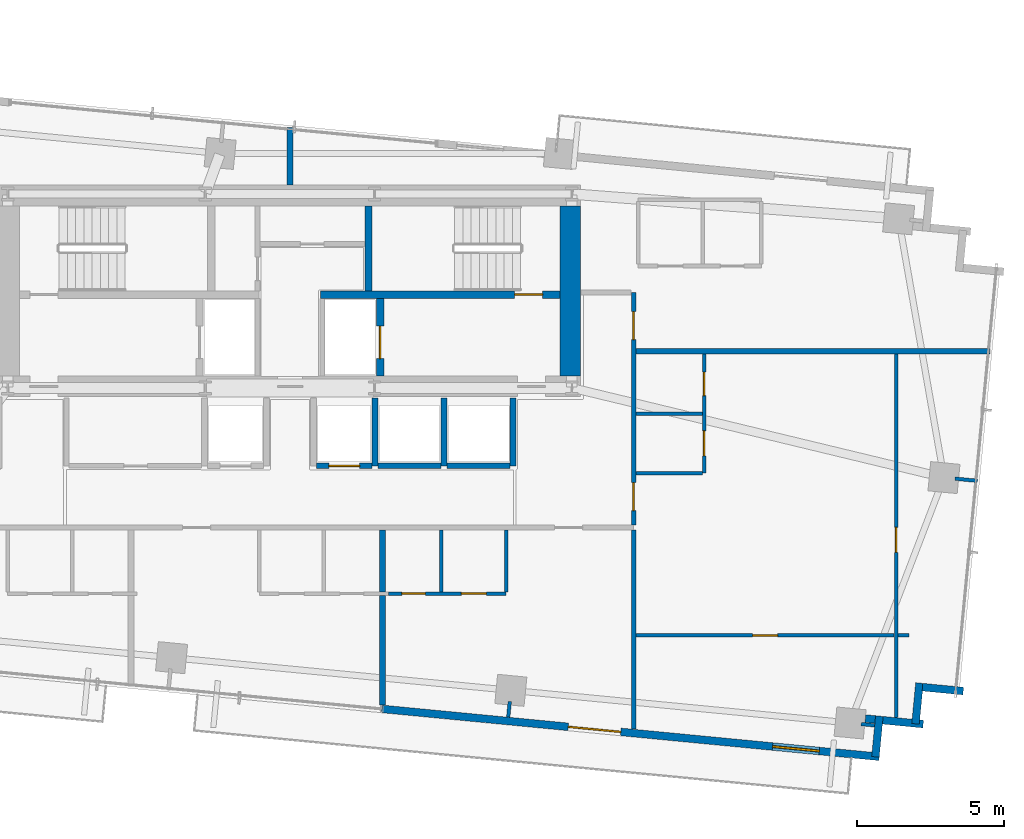
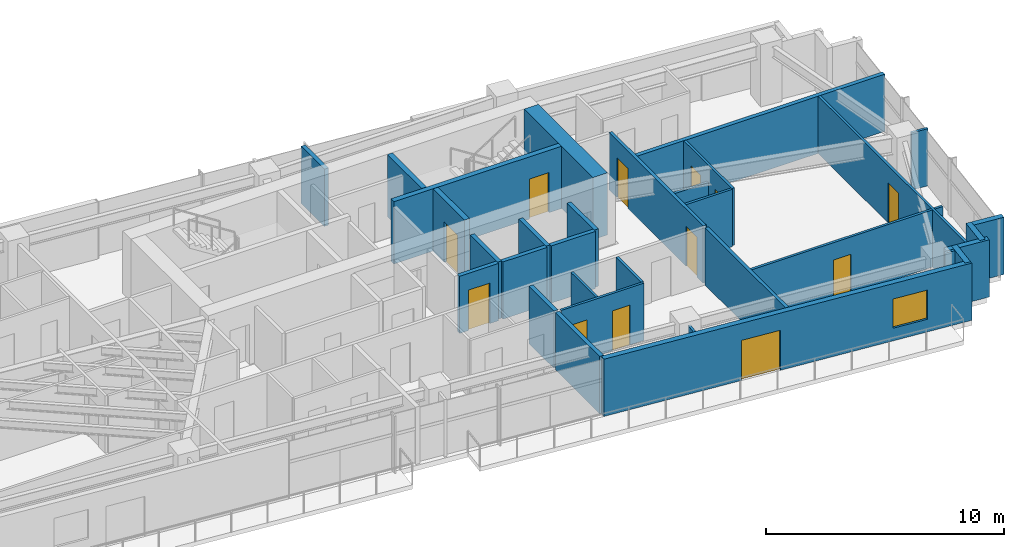
# One storey, part 17 of 20: 33 walls, 12 doors, 1 window, 13 openings.
"""IFC4 building model written with IfcOpenShell, lengths in metres."""

from ifc_helpers import new_model, si_unit, direction, frame, frame_2d, origin, place, context, subcontext, project, spatial, rectangle, extrude, source, transform, mapped, material, layer, layer_set, type_object, type_shapes, element, fill, save


model = new_model("IFC4")

# Units and contexts
model_context = context("Model", 3, precision=1e-05, world=origin(), true_north=direction((0.0, 1.0)))
body_context = subcontext(model_context, "Body", "Model", "MODEL_VIEW")
ifc_project = project(units=[si_unit("LENGTHUNIT", "METRE"), si_unit("AREAUNIT", "SQUARE_METRE"), si_unit("VOLUMEUNIT", "CUBIC_METRE"), si_unit("PLANEANGLEUNIT", "RADIAN"), si_unit("MASSUNIT", "GRAM", prefix="KILO")], contexts=[model_context])

# Site, building, storey
site_placement = place(None, origin())
site = spatial("IfcSite", under=ifc_project, at=site_placement, CompositionType="ELEMENT")
building_placement = place(site_placement, origin())
building = spatial("IfcBuilding", under=site, at=building_placement, Name="Astriad Promenade Condominiums", CompositionType="ELEMENT")
storey_placement = place(building_placement, frame((0.0, 0.0, 156.60009765625)))
storey = spatial("IfcBuildingStorey", under=building, at=storey_placement, Name="L45", CompositionType="ELEMENT", Elevation=156.60009765625)

# Wall
ifc_material_1 = material(Name="Concrete C60/75", Category="concrete")
ifc_layer_1 = layer(ifc_material_1, 0.699951171875)
ifc_layer_set_1 = layer_set([ifc_layer_1], Name="Concrete C60/75")
wall_type_1 = type_object("IfcWallType", Name="CW-SHEAR-700", PredefinedType="SHEAR", material=ifc_layer_set_1)
wall_1_placement = place(storey_placement, frame((45.550048828125, 17.802001953125, 0.0), z_axis=(0.0, 0.0, 1.0), x_axis=(0.0, 1.0, 0.0)))
element("IfcWall", 1, at=wall_1_placement, inside=storey, type_object=wall_type_1, Name="CW-CORE-E-L45", PredefinedType="SHEAR", context=body_context, shape_type="SweptSolid", body=[
    extrude(rectangle(XDim=5.7958984375, YDim=0.699951171875, at=frame_2d((2.89794921875, 0.0))), origin(), (0.0, 0.0, 1.0), 3.199951171875),
])

# Wall, opening, door
ifc_material_2 = material(Name="Concrete C50/60", Category="concrete")
ifc_layer_2 = layer(ifc_material_2, 0.25)
ifc_layer_set_2 = layer_set([ifc_layer_2], Name="Concrete C50/60")
wall_type_2 = type_object("IfcWallType", Name="WALL-CORE-INT-250", PredefinedType="SOLIDWALL", material=ifc_layer_set_2)
wall_2_placement = place(storey_placement, frame((37.050048828125, 20.574951171875, 0.0), z_axis=(0.0, 0.0, 1.0), x_axis=(1.0, 0.0, 0.0)))
wall_2 = element("IfcWall", 2, at=wall_2_placement, inside=storey, type_object=wall_type_2, Name="CW-INT-H2-L45", PredefinedType="SOLIDWALL", context=body_context, shape_type="SweptSolid", body=[
    extrude(rectangle(XDim=8.14794921875, YDim=0.25, at=frame_2d((4.073974609375, 0.0))), origin(), (0.0, 0.0, 1.0), 3.199951171875),
])
opening_1_placement = place(wall_2_placement, frame((6.60009765625, 0.0, 0.0)))
opening_1 = element("IfcOpeningElement", 3, at=opening_1_placement, cuts=wall_2, Name="Opening FD90-ST-095", PredefinedType="OPENING", context=body_context, shape_type="SweptSolid", body=[
    extrude(rectangle(XDim=0.949951171875, YDim=2.06005859375, at=frame_2d((0.47509765625, 1.030029296875))), frame((0.0, 0.135009765625, 0.0), z_axis=(0.0, -1.0, 0.0), x_axis=(1.0, 0.0, 0.0)), (0.0, 0.0, 1.0), 0.27001953125),
])
ifc_material_3 = material(Name="Fire-Rated Hollow Metal Stair Door")
door_type_1 = type_object("IfcDoorType", Name="FD90-ST-095", OperationType="NOTDEFINED", PredefinedType="DOOR", material=ifc_material_3)
shared_shape_1 = source(origin(), body_context, "Body", "SweptSolid", [
    extrude(rectangle(XDim=0.949951171875, YDim=2.06005859375, at=frame_2d((0.47509765625, 1.030029296875))), frame((0.0, 0.02490234375, 0.0), z_axis=(0.0, -1.0, 0.0), x_axis=(1.0, 0.0, 0.0)), (0.0, 0.0, 1.0), 0.050048828125),
])
type_shapes(door_type_1, [shared_shape_1])
door_1_placement = place(opening_1_placement, origin())
door_1 = element("IfcDoor", 4, at=door_1_placement, inside=storey, type_object=door_type_1, Name="D-ST2-L45", OperationType="SINGLE_SWING_LEFT", OverallHeight=2.06005859375, OverallWidth=0.949951171875, PredefinedType="DOOR", context=body_context, shape_type="MappedRepresentation", body=[
    mapped(shared_shape_1, transform((0.0, 0.0, 0.0), scale=1.0)),
])
fill(opening_1, door_1)

# Wall
wall_3_placement = place(storey_placement, frame((38.675048828125, 20.701904296875, 0.0), z_axis=(0.0, 0.0, 1.0), x_axis=(0.0, 1.0, 0.0)))
element("IfcWall", 5, at=wall_3_placement, inside=storey, type_object=wall_type_2, Name="CW-ST2-W-L45", PredefinedType="SOLIDWALL", context=body_context, shape_type="SweptSolid", body=[
    extrude(rectangle(XDim=2.89599609375, YDim=0.25, at=frame_2d((1.447998046875, 0.0))), origin(), (0.0, 0.0, 1.0), 3.199951171875),
])

# Wall, opening, door
wall_4_placement = place(storey_placement, frame((39.074951171875, 17.802001953125, 0.0), z_axis=(0.0, 0.0, 1.0), x_axis=(0.0, 1.0, 0.0)))
wall_4 = element("IfcWall", 6, at=wall_4_placement, inside=storey, type_object=wall_type_2, Name="CW-FFL2-E-L45", PredefinedType="SOLIDWALL", context=body_context, shape_type="SweptSolid", body=[
    extrude(rectangle(XDim=2.64599609375, YDim=0.25, at=frame_2d((1.322998046875, 0.0))), origin(), (0.0, 0.0, 1.0), 3.199951171875),
])
opening_2_placement = place(wall_4_placement, frame((0.597900390625, 0.0, 0.0)))
opening_2 = element("IfcOpeningElement", 7, at=opening_2_placement, cuts=wall_4, Name="Opening LD-FFL-1122", PredefinedType="OPENING", context=body_context, shape_type="SweptSolid", body=[
    extrude(rectangle(XDim=1.10009765625, YDim=2.080078125, at=frame_2d((0.550048828125, 1.0400390625))), frame((0.0, 0.135009765625, 0.0), z_axis=(0.0, -1.0, 0.0), x_axis=(1.0, 0.0, 0.0)), (0.0, 0.0, 1.0), 0.27001953125),
])
ifc_material_4 = material(Name="Brushed Stainless Steel Fire Elevator Landing Door", Category="steel")
door_type_2 = type_object("IfcDoorType", Name="LD-FFL-1122", OperationType="NOTDEFINED", PredefinedType="DOOR", material=ifc_material_4)
shared_shape_2 = source(origin(), body_context, "Body", "SweptSolid", [
    extrude(rectangle(XDim=1.10009765625, YDim=2.080078125, at=frame_2d((0.550048828125, 1.0400390625))), frame((0.0, 0.02490234375, 0.0), z_axis=(0.0, -1.0, 0.0), x_axis=(1.0, 0.0, 0.0)), (0.0, 0.0, 1.0), 0.050048828125),
])
type_shapes(door_type_2, [shared_shape_2])
door_2_placement = place(opening_2_placement, origin())
door_2 = element("IfcDoor", 8, at=door_2_placement, inside=storey, type_object=door_type_2, Name="Elevator Landing Door FFL-2 (L45)", OperationType="SLIDING_TO_RIGHT", OverallHeight=2.080078125, OverallWidth=1.10009765625, PredefinedType="DOOR", context=body_context, shape_type="MappedRepresentation", body=[
    mapped(shared_shape_2, transform((0.0, 0.0, 0.0), scale=1.0)),
])
fill(opening_2, door_2)

# Wall
ifc_material_5 = material(Name="Fire-Rated Gypsum Partition")
ifc_layer_3 = layer(ifc_material_5, 0.159912109375)
ifc_layer_set_3 = layer_set([ifc_layer_3], Name="Fire-Rated Gypsum Partition")
wall_type_3 = type_object("IfcWallType", Name="WALL-CORR-160", PredefinedType="PARTITIONING", material=ifc_layer_set_3)
wall_5_placement = place(storey_placement, frame((47.699951171875, 5.783203125, 0.0), z_axis=(0.0, 0.0, 1.0), x_axis=(0.0, 1.0, 0.0)))
element("IfcWall", 9, at=wall_5_placement, inside=storey, type_object=wall_type_3, Name="PT-COR-E-L45", PredefinedType="PARTITIONING", context=body_context, shape_type="SweptSolid", body=[
    extrude(rectangle(XDim=6.784912109375, YDim=0.159912109375, at=frame_2d((3.392578125, 0.0))), origin(), (0.0, 0.0, 1.0), 2.93994140625),
])

# Wall, openings, doors
wall_6_placement = place(storey_placement, frame((47.699951171875, 12.73193359375, 0.0), z_axis=(0.0, 0.0, 1.0), x_axis=(0.0, 1.0, 0.0)))
wall_6 = element("IfcWall", 10, at=wall_6_placement, inside=storey, type_object=wall_type_3, Name="PT-COR-E-L45-S2", PredefinedType="PARTITIONING", context=body_context, shape_type="SweptSolid", body=[
    extrude(rectangle(XDim=7.91796875, YDim=0.159912109375, at=frame_2d((3.958984375, 0.0))), origin(), (0.0, 0.0, 1.0), 2.93994140625),
])
opening_3_placement = place(wall_6_placement, frame((0.492919921875, 0.0, 0.0)))
opening_3 = element("IfcOpeningElement", 11, at=opening_3_placement, cuts=wall_6, Name="Opening FD60-APT-095", PredefinedType="OPENING", context=body_context, shape_type="SweptSolid", body=[
    extrude(rectangle(XDim=0.949951171875, YDim=2.06005859375, at=frame_2d((0.47509765625, 1.030029296875))), frame((0.0, 0.08984375, 0.0), z_axis=(0.0, -1.0, 0.0), x_axis=(1.0, 0.0, 0.0)), (0.0, 0.0, 1.0), 0.179931640625),
])
opening_4_placement = place(wall_6_placement, frame((6.31103515625, 0.0, 0.0)))
opening_4 = element("IfcOpeningElement", 12, at=opening_4_placement, cuts=wall_6, Name="Opening FD60-APT-095", PredefinedType="OPENING", context=body_context, shape_type="SweptSolid", body=[
    extrude(rectangle(XDim=0.949951171875, YDim=2.06005859375, at=frame_2d((0.47509765625, 1.030029296875))), frame((0.0, 0.08984375, 0.0), z_axis=(0.0, -1.0, 0.0), x_axis=(1.0, 0.0, 0.0)), (0.0, 0.0, 1.0), 0.179931640625),
])
ifc_material_6 = material(Name="Solid-Core Acoustic Timber Residence Entry Door", Category="wood")
door_type_3 = type_object("IfcDoorType", Name="FD60-APT-095", OperationType="NOTDEFINED", PredefinedType="DOOR", material=ifc_material_6)
shared_shape_3 = source(origin(), body_context, "Body", "SweptSolid", [
    extrude(rectangle(XDim=0.949951171875, YDim=2.06005859375, at=frame_2d((0.47509765625, 1.030029296875))), frame((0.0, 0.02490234375, 0.0), z_axis=(0.0, -1.0, 0.0), x_axis=(1.0, 0.0, 0.0)), (0.0, 0.0, 1.0), 0.050048828125),
])
type_shapes(door_type_3, [shared_shape_3])
door_3_placement = place(opening_3_placement, origin())
door_3 = element("IfcDoor", 13, at=door_3_placement, inside=storey, type_object=door_type_3, Name="D-ENT-L45-E1", OperationType="SINGLE_SWING_RIGHT", OverallHeight=2.06005859375, OverallWidth=0.949951171875, PredefinedType="DOOR", context=body_context, shape_type="MappedRepresentation", body=[
    mapped(shared_shape_3, transform((0.0, 0.0, 0.0), scale=1.0)),
])
fill(opening_3, door_3)
door_4_placement = place(opening_4_placement, origin())
door_4 = element("IfcDoor", 14, at=door_4_placement, inside=storey, type_object=door_type_3, Name="D-ENT-L45-E2", OperationType="SINGLE_SWING_LEFT", OverallHeight=2.06005859375, OverallWidth=0.949951171875, PredefinedType="DOOR", context=body_context, shape_type="MappedRepresentation", body=[
    mapped(shared_shape_3, transform((0.0, 0.0, 0.0), scale=1.0)),
])
fill(opening_4, door_4)

# Walls
ifc_material_7 = material(Name="Acoustic Double-Stud Gypsum Partition")
ifc_layer_4 = layer(ifc_material_7, 0.199951171875)
ifc_layer_set_4 = layer_set([ifc_layer_4], Name="Acoustic Double-Stud Gypsum Partition")
wall_type_4 = type_object("IfcWallType", Name="WALL-DEMISING-200", PredefinedType="PARTITIONING", material=ifc_layer_set_4)
wall_7_placement = place(storey_placement, frame((36.0, 24.302001953125, 0.0), z_axis=(0.0, 0.0, 1.0), x_axis=(0.0, 1.0, 0.0)))
element("IfcWall", 15, at=wall_7_placement, inside=storey, type_object=wall_type_4, Name="PT-NC-MID-L45", PredefinedType="PARTITIONING", context=body_context, shape_type="SweptSolid", body=[
    extrude(rectangle(XDim=1.954833984375, YDim=0.199951171875, at=frame_2d((0.9775390625, 0.0))), origin(), (0.0, 0.0, 1.0), 2.93994140625),
])
wall_8_placement = place(storey_placement, frame((39.158935546875, 6.605712890625, 0.0), z_axis=(0.0, 0.0, 1.0), x_axis=(0.0, 1.0, 0.0)))
element("IfcWall", 16, at=wall_8_placement, inside=storey, type_object=wall_type_4, Name="PT-DEM-S2-L45", PredefinedType="PARTITIONING", context=body_context, shape_type="SweptSolid", body=[
    extrude(rectangle(XDim=3.732177734375, YDim=0.199951171875, at=frame_2d((1.8662109375, 0.0))), origin(), (0.0, 0.0, 1.0), 2.93994140625),
])
wall_9_placement = place(storey_placement, frame((39.158935546875, 10.4619140625, 0.0), z_axis=(0.0, 0.0, 1.0), x_axis=(0.0, 1.0, 0.0)))
element("IfcWall", 17, at=wall_9_placement, inside=storey, type_object=wall_type_4, Name="PT-DEM-S2-L45-S2", PredefinedType="PARTITIONING", context=body_context, shape_type="SweptSolid", body=[
    extrude(rectangle(XDim=2.106201171875, YDim=0.199951171875, at=frame_2d((1.05322265625, 0.0))), origin(), (0.0, 0.0, 1.0), 2.93994140625),
])
wall_10_placement = place(storey_placement, frame((47.781982421875, 18.64990234375, 0.0), z_axis=(0.0, 0.0, 1.0), x_axis=(1.0, 0.0, 0.0)))
element("IfcWall", 18, at=wall_10_placement, inside=storey, type_object=wall_type_4, Name="PT-DEM-EE-L45", PredefinedType="PARTITIONING", context=body_context, shape_type="SweptSolid", body=[
    extrude(rectangle(XDim=12.039794921875, YDim=0.199951171875, at=frame_2d((6.02001953125, 0.0))), origin(), (0.0, 0.0, 1.0), 2.93994140625),
])
ifc_material_8 = material(Name="Precast concrete C50/60", Category="concrete")
ifc_layer_5 = layer(ifc_material_8, 0.260009765625)
ifc_layer_set_5 = layer_set([ifc_layer_5], Name="Precast concrete C50/60")
wall_type_5 = type_object("IfcWallType", Name="WALL-EXT-TWR-260", PredefinedType="STANDARD", material=ifc_layer_set_5)
for number, where, z_axis, x_axis, name in (
    (19, (58.918701171875, 7.081787109375, 0.0), (0.0, 0.0, 1.0), (-0.995389446633, 0.095915846097, 0.0), "W-SER-L45-14"),
    (20, (57.42822265625, 7.35595703125, 0.0), (0.0, 0.0, 1.0), (-0.095915846097, -0.995389446633, 0.0), "W-SER-L45-15"),
):
    element("IfcWall", number, at=place(storey_placement, frame(where, z_axis=z_axis, x_axis=x_axis)), inside=storey, type_object=wall_type_5, Name=name, PredefinedType="STANDARD", context=body_context, shape_type="SweptSolid", body=[
        extrude(rectangle(XDim=1.394775390625, YDim=0.260009765625, at=frame_2d((0.697265625, 0.0))), origin(), (0.0, 0.0, 1.0), 2.93994140625),
    ])
wall_11_placement = place(storey_placement, frame((57.5546875, 5.95751953125, 0.0), z_axis=(0.0, 0.0, 1.0), x_axis=(-0.995401789159, 0.095787672171, 0.0)))
element("IfcWall", 21, at=wall_11_placement, inside=storey, type_object=wall_type_5, Name="W-SER-L45-16", PredefinedType="STANDARD", context=body_context, shape_type="SweptSolid", body=[
    extrude(rectangle(XDim=1.977783203125, YDim=0.260009765625, at=frame_2d((0.98876953125, 0.0))), origin(), (0.0, 0.0, 1.0), 2.93994140625),
])
wall_12_placement = place(storey_placement, frame((56.064208984375, 6.231689453125, 0.0), z_axis=(0.0, 0.0, 1.0), x_axis=(-0.09589913835, -0.995391056452, 0.0)))
element("IfcWall", 22, at=wall_12_placement, inside=storey, type_object=wall_type_5, Name="W-SER-L45-17", PredefinedType="STANDARD", context=body_context, shape_type="SweptSolid", body=[
    extrude(rectangle(XDim=1.39501953125, YDim=0.260009765625, at=frame_2d((0.697509765625, 0.0))), origin(), (0.0, 0.0, 1.0), 2.93994140625),
])

# Wall, openings, door, window
wall_13_placement = place(storey_placement, frame((56.061279296875, 4.845458984375, 0.0), z_axis=(0.0, 0.0, 1.0), x_axis=(-0.995395976631, 0.095848055311, 0.0)))
wall_13 = element("IfcWall", 23, at=wall_13_placement, inside=storey, type_object=wall_type_5, Name="W-EXT-L45-S1", PredefinedType="STANDARD", context=body_context, shape_type="SweptSolid", body=[
    extrude(rectangle(XDim=17.010009765625, YDim=0.260009765625, at=frame_2d((8.5048828125, 0.0))), origin(), (0.0, 0.0, 1.0), 2.93994140625),
])
opening_5_placement = place(wall_13_placement, frame((8.839111328125, 0.0, 0.0)))
opening_5 = element("IfcOpeningElement", 24, at=opening_5_placement, cuts=wall_13, Name="Opening BD-1822-SLD", PredefinedType="OPENING", context=body_context, shape_type="SweptSolid", body=[
    extrude(rectangle(XDim=1.800048828125, YDim=2.06005859375, at=frame_2d((0.89990234375, 1.030029296875))), frame((0.0, 0.139892578125, 0.0), z_axis=(0.0, -1.0, 0.0), x_axis=(1.0, 0.0, 0.0)), (0.0, 0.0, 1.0), 0.280029296875),
])
opening_6_placement = place(wall_13_placement, frame((2.050048828125, 0.0, 0.64990234375)))
opening_6 = element("IfcOpeningElement", 25, at=opening_6_placement, cuts=wall_13, Name="Opening WIN-TWR-1620", PredefinedType="OPENING", context=body_context, shape_type="SweptSolid", body=[
    extrude(rectangle(XDim=1.60009765625, YDim=1.5, at=frame_2d((0.800048828125, 0.75))), frame((0.0, 0.139892578125, 0.0), z_axis=(0.0, -1.0, 0.0), x_axis=(1.0, 0.0, 0.0)), (0.0, 0.0, 1.0), 0.280029296875),
])
ifc_material_9 = material(Name="Thermally Broken Aluminium Sliding Balcony Door", Category="aluminium")
door_type_4 = type_object("IfcDoorType", Name="BD-1822-SLD", OperationType="NOTDEFINED", PredefinedType="DOOR", material=ifc_material_9)
shared_shape_4 = source(origin(), body_context, "Body", "SweptSolid", [
    extrude(rectangle(XDim=1.800048828125, YDim=2.06005859375, at=frame_2d((0.89990234375, 1.030029296875))), frame((0.0, 0.02490234375, 0.0), z_axis=(0.0, -1.0, 0.0), x_axis=(1.0, 0.0, 0.0)), (0.0, 0.0, 1.0), 0.050048828125),
])
type_shapes(door_type_4, [shared_shape_4])
door_5_placement = place(opening_5_placement, origin())
door_5 = element("IfcDoor", 26, at=door_5_placement, inside=storey, type_object=door_type_4, Name="BD-L45-SE", OperationType="SLIDING_TO_RIGHT", OverallHeight=2.06005859375, OverallWidth=1.800048828125, PredefinedType="DOOR", context=body_context, shape_type="MappedRepresentation", body=[
    mapped(shared_shape_4, transform((0.0, 0.0, 0.0), scale=1.0)),
])
fill(opening_5, door_5)
ifc_material_10 = material(Name="Dark Tinted Triple-Glazed Aluminium Window", Category="aluminium")
window_type = type_object("IfcWindowType", Name="WIN-TWR-1620", PartitioningType="SINGLE_PANEL", PredefinedType="WINDOW", material=ifc_material_10)
shared_shape_5 = source(origin(), body_context, "Body", "SweptSolid", [
    extrude(rectangle(XDim=1.60009765625, YDim=1.5, at=frame_2d((0.800048828125, 0.75))), frame((0.0, 0.030029296875, 0.0), z_axis=(0.0, -1.0, 0.0), x_axis=(1.0, 0.0, 0.0)), (0.0, 0.0, 1.0), 0.06005859375),
])
type_shapes(window_type, [shared_shape_5])
window_placement = place(opening_6_placement, origin())
window = element("IfcWindow", 27, at=window_placement, inside=storey, type_object=window_type, Name="WIN-L45-SE", OverallHeight=1.5, OverallWidth=1.60009765625, PartitioningType="SINGLE_PANEL", PredefinedType="WINDOW", context=body_context, shape_type="MappedRepresentation", body=[
    mapped(shared_shape_5, transform((0.0, 0.0, 0.0), scale=1.0)),
])
fill(opening_6, window)

# Wall, openings, doors
ifc_material_11 = material(Name="Acoustic Metal-Stud Gypsum Partition")
ifc_layer_6 = layer(ifc_material_11, 0.1201171875)
ifc_layer_set_6 = layer_set([ifc_layer_6], Name="Acoustic Metal-Stud Gypsum Partition")
wall_type_6 = type_object("IfcWallType", Name="WALL-PART-120", PredefinedType="PARTITIONING", material=ifc_layer_set_6)
wall_14_placement = place(storey_placement, frame((39.35888671875, 10.39990234375, 0.0), z_axis=(0.0, 0.0, 1.0), x_axis=(1.0, 0.0, 0.0)))
wall_14 = element("IfcWall", 28, at=wall_14_placement, inside=storey, type_object=wall_type_6, Name="PT-L45-S3-PS", PredefinedType="PARTITIONING", context=body_context, shape_type="SweptSolid", body=[
    extrude(rectangle(XDim=4.0, YDim=0.1201171875, at=frame_2d((2.0, 0.0))), origin(), (0.0, 0.0, 1.0), 2.93994140625),
])
opening_7_placement = place(wall_14_placement, frame((0.449951171875, 0.0, 0.0)))
opening_7 = element("IfcOpeningElement", 29, at=opening_7_placement, cuts=wall_14, Name="Opening D-WET-080", PredefinedType="OPENING", context=body_context, shape_type="SweptSolid", body=[
    extrude(rectangle(XDim=0.800048828125, YDim=2.02001953125, at=frame_2d((0.39990234375, 1.010009765625))), frame((0.0, 0.070068359375, 0.0), z_axis=(0.0, -1.0, 0.0), x_axis=(1.0, 0.0, 0.0)), (0.0, 0.0, 1.0), 0.14013671875),
])
opening_8_placement = place(wall_14_placement, frame((2.47509765625, 0.0, 0.0)))
opening_8 = element("IfcOpeningElement", 30, at=opening_8_placement, cuts=wall_14, Name="Opening D-INT-085", PredefinedType="OPENING", context=body_context, shape_type="SweptSolid", body=[
    extrude(rectangle(XDim=0.85009765625, YDim=2.050048828125, at=frame_2d((0.425048828125, 1.02490234375))), frame((0.0, 0.070068359375, 0.0), z_axis=(0.0, -1.0, 0.0), x_axis=(1.0, 0.0, 0.0)), (0.0, 0.0, 1.0), 0.14013671875),
])
ifc_material_12 = material(Name="Moisture-Resistant Timber Bathroom Door", Category="wood")
door_type_5 = type_object("IfcDoorType", Name="D-WET-080", OperationType="NOTDEFINED", PredefinedType="DOOR", material=ifc_material_12)
shared_shape_6 = source(origin(), body_context, "Body", "SweptSolid", [
    extrude(rectangle(XDim=0.800048828125, YDim=2.02001953125, at=frame_2d((0.39990234375, 1.010009765625))), frame((0.0, 0.02490234375, 0.0), z_axis=(0.0, -1.0, 0.0), x_axis=(1.0, 0.0, 0.0)), (0.0, 0.0, 1.0), 0.050048828125),
])
type_shapes(door_type_5, [shared_shape_6])
door_6_placement = place(opening_7_placement, origin())
door_6 = element("IfcDoor", 31, at=door_6_placement, inside=storey, type_object=door_type_5, Name="D-BTH-L45-S3", OperationType="SINGLE_SWING_RIGHT", OverallHeight=2.02001953125, OverallWidth=0.800048828125, PredefinedType="DOOR", context=body_context, shape_type="MappedRepresentation", body=[
    mapped(shared_shape_6, transform((0.0, 0.0, 0.0), scale=1.0)),
])
fill(opening_7, door_6)
ifc_material_13 = material(Name="Painted Solid-Core Timber Room Door", Category="wood")
door_type_6 = type_object("IfcDoorType", Name="D-INT-085", OperationType="NOTDEFINED", PredefinedType="DOOR", material=ifc_material_13)
shared_shape_7 = source(origin(), body_context, "Body", "SweptSolid", [
    extrude(rectangle(XDim=0.85009765625, YDim=2.050048828125, at=frame_2d((0.425048828125, 1.02490234375))), frame((0.0, 0.02490234375, 0.0), z_axis=(0.0, -1.0, 0.0), x_axis=(1.0, 0.0, 0.0)), (0.0, 0.0, 1.0), 0.050048828125),
])
type_shapes(door_type_6, [shared_shape_7])
door_7_placement = place(opening_8_placement, origin())
door_7 = element("IfcDoor", 32, at=door_7_placement, inside=storey, type_object=door_type_6, Name="D-KIT-L45-S3", OperationType="SINGLE_SWING_LEFT", OverallHeight=2.050048828125, OverallWidth=0.85009765625, PredefinedType="DOOR", context=body_context, shape_type="MappedRepresentation", body=[
    mapped(shared_shape_7, transform((0.0, 0.0, 0.0), scale=1.0)),
])
fill(opening_8, door_7)

# Walls
for number, where, z_axis, x_axis, name in (
    (33, (43.35888671875, 10.4619140625, 0.0), (0.0, 0.0, 1.0), (0.0, 1.0, 0.0), "PT-L45-S3-PK"),
    (34, (41.158935546875, 10.4619140625, 0.0), (0.0, 0.0, 1.0), (0.0, 1.0, 0.0), "PT-L45-S3-PB"),
):
    element("IfcWall", number, at=place(storey_placement, frame(where, z_axis=z_axis, x_axis=x_axis)), inside=storey, type_object=wall_type_6, Name=name, PredefinedType="PARTITIONING", context=body_context, shape_type="SweptSolid", body=[
        extrude(rectangle(XDim=2.106201171875, YDim=0.1201171875, at=frame_2d((1.05322265625, 0.0))), origin(), (0.0, 0.0, 1.0), 2.93994140625),
    ])

# Wall, openings, doors
wall_15_placement = place(storey_placement, frame((50.10009765625, 14.5, 0.0), z_axis=(0.0, 0.0, 1.0), x_axis=(0.0, 1.0, 0.0)))
wall_15 = element("IfcWall", 35, at=wall_15_placement, inside=storey, type_object=wall_type_6, Name="PT-L45-E1-PV", PredefinedType="PARTITIONING", context=body_context, shape_type="SweptSolid", body=[
    extrude(rectangle(XDim=4.048095703125, YDim=0.1201171875, at=frame_2d((2.02392578125, 0.0))), origin(), (0.0, 0.0, 1.0), 2.93994140625),
])
opening_9_placement = place(wall_15_placement, frame((0.5869140625, 0.0, 0.0)))
opening_9 = element("IfcOpeningElement", 36, at=opening_9_placement, cuts=wall_15, Name="Opening D-INT-085", PredefinedType="OPENING", context=body_context, shape_type="SweptSolid", body=[
    extrude(rectangle(XDim=0.85009765625, YDim=2.050048828125, at=frame_2d((0.425048828125, 1.02490234375))), frame((0.0, 0.070068359375, 0.0), z_axis=(0.0, -1.0, 0.0), x_axis=(1.0, 0.0, 0.0)), (0.0, 0.0, 1.0), 0.14013671875),
])
opening_10_placement = place(wall_15_placement, frame((2.637939453125, 0.0, 0.0)))
opening_10 = element("IfcOpeningElement", 37, at=opening_10_placement, cuts=wall_15, Name="Opening D-WET-080", PredefinedType="OPENING", context=body_context, shape_type="SweptSolid", body=[
    extrude(rectangle(XDim=0.800048828125, YDim=2.02001953125, at=frame_2d((0.39990234375, 1.010009765625))), frame((0.0, 0.070068359375, 0.0), z_axis=(0.0, -1.0, 0.0), x_axis=(1.0, 0.0, 0.0)), (0.0, 0.0, 1.0), 0.14013671875),
])
door_8_placement = place(opening_10_placement, origin())
door_8 = element("IfcDoor", 38, at=door_8_placement, inside=storey, type_object=door_type_5, Name="D-BTH-L45-E1", OperationType="SINGLE_SWING_RIGHT", OverallHeight=2.02001953125, OverallWidth=0.800048828125, PredefinedType="DOOR", context=body_context, shape_type="MappedRepresentation", body=[
    mapped(shared_shape_6, transform((0.0, 0.0, 0.0), scale=1.0)),
])
fill(opening_10, door_8)
door_9_placement = place(opening_9_placement, origin())
door_9 = element("IfcDoor", 39, at=door_9_placement, inside=storey, type_object=door_type_6, Name="D-KIT-L45-E1", OperationType="SINGLE_SWING_LEFT", OverallHeight=2.050048828125, OverallWidth=0.85009765625, PredefinedType="DOOR", context=body_context, shape_type="MappedRepresentation", body=[
    mapped(shared_shape_7, transform((0.0, 0.0, 0.0), scale=1.0)),
])
fill(opening_9, door_9)

# Walls
wall_16_placement = place(storey_placement, frame((47.781982421875, 16.52490234375, 0.0), z_axis=(0.0, 0.0, 1.0), x_axis=(1.0, 0.0, 0.0)))
element("IfcWall", 40, at=wall_16_placement, inside=storey, type_object=wall_type_6, Name="PT-L45-E1-PM", PredefinedType="PARTITIONING", context=body_context, shape_type="SweptSolid", body=[
    extrude(rectangle(XDim=2.256103515625, YDim=0.1201171875, at=frame_2d((1.1279296875, 0.0))), origin(), (0.0, 0.0, 1.0), 2.06298828125),
])
wall_17_placement = place(storey_placement, frame((47.781982421875, 14.5, 0.0), z_axis=(0.0, 0.0, 1.0), x_axis=(1.0, 0.0, 0.0)))
element("IfcWall", 41, at=wall_17_placement, inside=storey, type_object=wall_type_6, Name="PT-L45-E1-PS", PredefinedType="PARTITIONING", context=body_context, shape_type="SweptSolid", body=[
    extrude(rectangle(XDim=2.256103515625, YDim=0.1201171875, at=frame_2d((1.1279296875, 0.0))), origin(), (0.0, 0.0, 1.0), 2.93994140625),
])

# Wall, opening, door
wall_18_placement = place(storey_placement, frame((56.632080078125, 6.178955078125, 0.0), z_axis=(0.0, 0.0, 1.0), x_axis=(0.0, 1.0, 0.0)))
wall_18 = element("IfcWall", 42, at=wall_18_placement, inside=storey, type_object=wall_type_6, Name="PT-L45-E1-B1", PredefinedType="PARTITIONING", context=body_context, shape_type="SweptSolid", body=[
    extrude(rectangle(XDim=12.369140625, YDim=0.1201171875, at=frame_2d((6.1845703125, 0.0))), origin(), (0.0, 0.0, 1.0), 2.93994140625),
])
opening_11_placement = place(wall_18_placement, frame((5.6240234375, 0.0, 0.0)))
opening_11 = element("IfcOpeningElement", 43, at=opening_11_placement, cuts=wall_18, Name="Opening D-INT-085", PredefinedType="OPENING", context=body_context, shape_type="SweptSolid", body=[
    extrude(rectangle(XDim=0.85009765625, YDim=2.050048828125, at=frame_2d((0.425048828125, 1.02490234375))), frame((0.0, 0.070068359375, 0.0), z_axis=(0.0, -1.0, 0.0), x_axis=(1.0, 0.0, 0.0)), (0.0, 0.0, 1.0), 0.14013671875),
])
door_10_placement = place(opening_11_placement, origin())
door_10 = element("IfcDoor", 44, at=door_10_placement, inside=storey, type_object=door_type_6, Name="D-BD1-L45-E1", OperationType="SINGLE_SWING_LEFT", OverallHeight=2.050048828125, OverallWidth=0.85009765625, PredefinedType="DOOR", context=body_context, shape_type="MappedRepresentation", body=[
    mapped(shared_shape_7, transform((0.0, 0.0, 0.0), scale=1.0)),
])
fill(opening_11, door_10)

wall_19_placement = place(storey_placement, frame((47.781982421875, 8.98193359375, 0.0), z_axis=(0.0, 0.0, 1.0), x_axis=(1.0, 0.0, 0.0)))
wall_19 = element("IfcWall", 45, at=wall_19_placement, inside=storey, type_object=wall_type_6, Name="PT-L45-E1-WDS1", PredefinedType="PARTITIONING", context=body_context, shape_type="SweptSolid", body=[
    extrude(rectangle(XDim=8.7880859375, YDim=0.1201171875, at=frame_2d((4.39404296875, 0.0))), origin(), (0.0, 0.0, 1.0), 2.93994140625),
])
opening_12_placement = place(wall_19_placement, frame((3.968994140625, 0.0, 0.0)))
opening_12 = element("IfcOpeningElement", 46, at=opening_12_placement, cuts=wall_19, Name="Opening D-INT-085", PredefinedType="OPENING", context=body_context, shape_type="SweptSolid", body=[
    extrude(rectangle(XDim=0.85009765625, YDim=2.050048828125, at=frame_2d((0.425048828125, 1.02490234375))), frame((0.0, 0.070068359375, 0.0), z_axis=(0.0, -1.0, 0.0), x_axis=(1.0, 0.0, 0.0)), (0.0, 0.0, 1.0), 0.14013671875),
])
door_11_placement = place(opening_12_placement, origin())
door_11 = element("IfcDoor", 47, at=door_11_placement, inside=storey, type_object=door_type_6, Name="D-WDS1-L45-E1", OperationType="SINGLE_SWING_RIGHT", OverallHeight=2.050048828125, OverallWidth=0.85009765625, PredefinedType="DOOR", context=body_context, shape_type="MappedRepresentation", body=[
    mapped(shared_shape_7, transform((0.0, 0.0, 0.0), scale=1.0)),
])
fill(opening_12, door_11)

# Walls
wall_20_placement = place(storey_placement, frame((56.694091796875, 8.98193359375, 0.0), z_axis=(0.0, 0.0, 1.0), x_axis=(1.0, 0.0, 0.0)))
element("IfcWall", 48, at=wall_20_placement, inside=storey, type_object=wall_type_6, Name="PT-L45-E1-WDS1-S2", PredefinedType="PARTITIONING", context=body_context, shape_type="SweptSolid", body=[
    extrude(rectangle(XDim=0.3779296875, YDim=0.1201171875, at=frame_2d((0.18896484375, 0.0))), origin(), (0.0, 0.0, 1.0), 2.93994140625),
])
wall_21_placement = place(storey_placement, frame((43.48388671875, 6.7294921875, 0.0), z_axis=(0.0, 0.0, 1.0), x_axis=(-0.095772948675, -0.995403205893, 0.0)))
element("IfcWall", 49, at=wall_21_placement, inside=storey, type_object=wall_type_6, Name="PT-PIL-L45-PC04-11", PredefinedType="PARTITIONING", context=body_context, shape_type="SweptSolid", body=[
    extrude(rectangle(XDim=0.537841796875, YDim=0.1201171875, at=frame_2d((0.26904296875, 0.0))), origin(), (0.0, 0.0, 1.0), 2.93994140625),
])
wall_22_placement = place(storey_placement, frame((55.4453125, 5.959716796875, 0.0), z_axis=(0.0, 0.0, 1.0), x_axis=(0.995384576284, -0.09596637586, 0.0)))
element("IfcWall", 50, at=wall_22_placement, inside=storey, type_object=wall_type_6, Name="PT-PIL-L45-PC05-12", PredefinedType="PARTITIONING", context=body_context, shape_type="SweptSolid", body=[
    extrude(rectangle(XDim=0.4580078125, YDim=0.1201171875, at=frame_2d((0.22900390625, 0.0))), origin(), (0.0, 0.0, 1.0), 2.93994140625),
])
wall_23_placement = place(storey_placement, frame((58.640380859375, 14.31201171875, 0.0), z_axis=(0.0, 0.0, 1.0), x_axis=(0.995377786728, -0.096036772582, 0.0)))
element("IfcWall", 51, at=wall_23_placement, inside=storey, type_object=wall_type_6, Name="PT-PIL-L45-PC12-19", PredefinedType="PARTITIONING", context=body_context, shape_type="SweptSolid", body=[
    extrude(rectangle(XDim=0.760009765625, YDim=0.1201171875, at=frame_2d((0.3798828125, 0.0))), origin(), (0.0, 0.0, 1.0), 2.93994140625),
])
ifc_material_14 = material(Name="Gypsum Shaftliner Assembly")
ifc_layer_7 = layer(ifc_material_14, 0.199951171875)
ifc_layer_set_7 = layer_set([ifc_layer_7], Name="Gypsum Shaftliner Assembly")
wall_type_7 = type_object("IfcWallType", Name="WALL-SHAFT-200", PredefinedType="PARTITIONING", material=ifc_layer_set_7)
wall_24_placement = place(storey_placement, frame((38.89990234375, 14.75, 0.0), z_axis=(0.0, 0.0, 1.0), x_axis=(0.0, 1.0, 0.0)))
element("IfcWall", 52, at=wall_24_placement, inside=storey, type_object=wall_type_7, Name="PL-MH-DIV-L45", PredefinedType="PARTITIONING", context=body_context, shape_type="SweptSolid", body=[
    extrude(rectangle(XDim=2.300048828125, YDim=0.199951171875, at=frame_2d((1.14990234375, 0.0))), origin(), (0.0, 0.0, 1.0), 2.93994140625),
])

# Wall, opening, door
wall_25_placement = place(storey_placement, frame((36.902099609375, 14.75, 0.0), z_axis=(0.0, 0.0, 1.0), x_axis=(1.0, 0.0, 0.0)))
wall_25 = element("IfcWall", 53, at=wall_25_placement, inside=storey, type_object=wall_type_7, Name="PL-M2-F-L45", PredefinedType="PARTITIONING", context=body_context, shape_type="SweptSolid", body=[
    extrude(rectangle(XDim=1.89599609375, YDim=0.199951171875, at=frame_2d((0.947998046875, 0.0))), origin(), (0.0, 0.0, 1.0), 2.93994140625),
])
opening_13_placement = place(wall_25_placement, frame((0.423095703125, 0.0, 0.0)))
opening_13 = element("IfcOpeningElement", 54, at=opening_13_placement, cuts=wall_25, Name="Opening LD-PL-10522", PredefinedType="OPENING", context=body_context, shape_type="SweptSolid", body=[
    extrude(rectangle(XDim=1.050048828125, YDim=2.080078125, at=frame_2d((0.52490234375, 1.0400390625))), frame((0.0, 0.10986328125, 0.0), z_axis=(0.0, -1.0, 0.0), x_axis=(1.0, 0.0, 0.0)), (0.0, 0.0, 1.0), 0.219970703125),
])
ifc_material_15 = material(Name="Brushed Bronze Passenger Elevator Landing Door")
door_type_7 = type_object("IfcDoorType", Name="LD-PL-10522", OperationType="NOTDEFINED", PredefinedType="DOOR", material=ifc_material_15)
shared_shape_8 = source(origin(), body_context, "Body", "SweptSolid", [
    extrude(rectangle(XDim=1.050048828125, YDim=2.080078125, at=frame_2d((0.52490234375, 1.0400390625))), frame((0.0, 0.02490234375, 0.0), z_axis=(0.0, -1.0, 0.0), x_axis=(1.0, 0.0, 0.0)), (0.0, 0.0, 1.0), 0.050048828125),
])
type_shapes(door_type_7, [shared_shape_8])
door_12_placement = place(opening_13_placement, origin())
door_12 = element("IfcDoor", 55, at=door_12_placement, inside=storey, type_object=door_type_7, Name="Elevator Landing Door PL-M2 (L45)", OperationType="SLIDING_TO_RIGHT", OverallHeight=2.080078125, OverallWidth=1.050048828125, PredefinedType="DOOR", context=body_context, shape_type="MappedRepresentation", body=[
    mapped(shared_shape_8, transform((0.0, 0.0, 0.0), scale=1.0)),
])
fill(opening_13, door_12)

# Walls
for number, where, z_axis, x_axis, name in (
    (56, (41.25, 14.75, 0.0), (0.0, 0.0, 1.0), (0.0, 1.0, 0.0), "PL-H-DIV-L45"),
    (57, (43.60009765625, 14.75, 0.0), (0.0, 0.0, 1.0), (0.0, 1.0, 0.0), "PL-E-OUT-L45"),
):
    element("IfcWall", number, at=place(storey_placement, frame(where, z_axis=z_axis, x_axis=x_axis)), inside=storey, type_object=wall_type_7, Name=name, PredefinedType="PARTITIONING", context=body_context, shape_type="SweptSolid", body=[
        extrude(rectangle(XDim=2.300048828125, YDim=0.199951171875, at=frame_2d((1.14990234375, 0.0))), origin(), (0.0, 0.0, 1.0), 2.93994140625),
    ])
for number, where, z_axis, x_axis, name in (
    (58, (39.001953125, 14.75, 0.0), (0.0, 0.0, 1.0), (1.0, 0.0, 0.0), "PL-H-FRT-L45"),
    (59, (41.35205078125, 14.75, 0.0), (0.0, 0.0, 1.0), (1.0, 0.0, 0.0), "PL-H-FRT-L45-S2"),
):
    element("IfcWall", number, at=place(storey_placement, frame(where, z_axis=z_axis, x_axis=x_axis)), inside=storey, type_object=wall_type_7, Name=name, PredefinedType="PARTITIONING", context=body_context, shape_type="SweptSolid", body=[
        extrude(rectangle(XDim=2.14599609375, YDim=0.199951171875, at=frame_2d((1.072998046875, 0.0))), origin(), (0.0, 0.0, 1.0), 2.93994140625),
    ])

save(model, "model.ifc")
